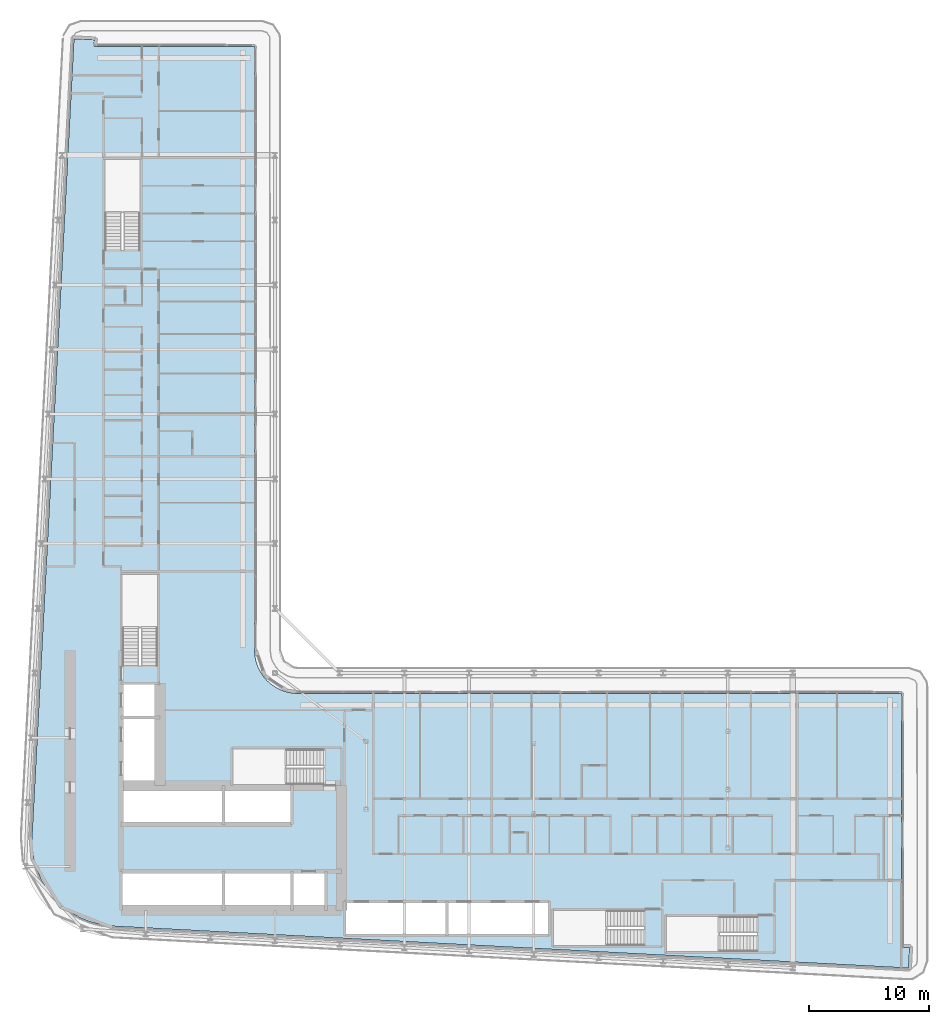
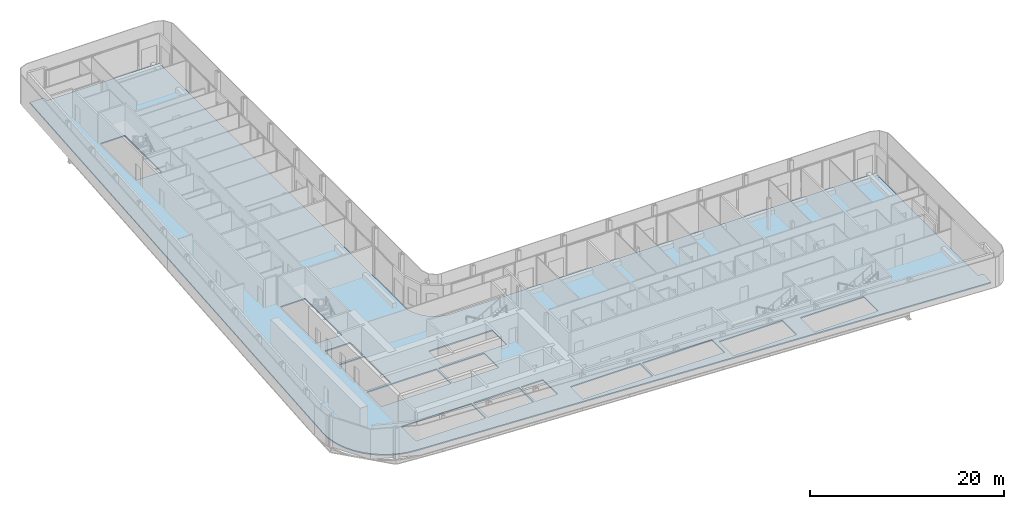
# One storey, part 11 of 28: 1 slab.
"""IFC4 building model written with IfcOpenShell, lengths in metres."""

from ifc_helpers import new_model, si_unit, direction, frame, origin, place, context, subcontext, project, spatial, polyline, outline, extrude, material, layer, layer_set, type_object, element, save


model = new_model("IFC4")

# Units and contexts
model_context = context("Model", 3, precision=1e-05, world=origin(), true_north=direction((0.0, 1.0)))
body_context = subcontext(model_context, "Body", "Model", "MODEL_VIEW")
ifc_project = project(units=[si_unit("LENGTHUNIT", "METRE"), si_unit("AREAUNIT", "SQUARE_METRE"), si_unit("VOLUMEUNIT", "CUBIC_METRE"), si_unit("PLANEANGLEUNIT", "RADIAN"), si_unit("MASSUNIT", "GRAM", prefix="KILO")], contexts=[model_context])

# Site, building, storey
site_placement = place(None, origin())
site = spatial("IfcSite", under=ifc_project, at=site_placement, CompositionType="ELEMENT")
building_placement = place(site_placement, origin())
building = spatial("IfcBuilding", under=site, at=building_placement, Name="Kheshtan School and Residences Tower", CompositionType="ELEMENT")
storey_placement = place(building_placement, frame((0.0, 0.0, 125.300048828125)))
storey = spatial("IfcBuildingStorey", under=building, at=storey_placement, Name="L29", CompositionType="ELEMENT", Elevation=125.300048828125)

# Slab
ifc_material = material(Name="Concrete C40/50", Category="concrete")
ifc_layer = layer(ifc_material, 0.14990234375)
ifc_layer_set = layer_set([ifc_layer], Name="Floor slab 150 Concrete C40/50")
slab_type = type_object("IfcSlabType", Name="Floor slab 150 Concrete C40/50", PredefinedType="FLOOR", material=ifc_layer_set)
slab_placement = place(storey_placement, frame((0.0, 0.0, -0.150146484375)))
element("IfcSlab", 1, at=slab_placement, inside=storey, type_object=slab_type, Name="Floor slab L29", PredefinedType="FLOOR", context=body_context, shape_type="SweptSolid", body=[
    extrude(outline(polyline([(27.718017578125, 29.200927734375), (27.466064453125, 30.093017578125), (27.466064453125, 30.093994140625), (27.3330078125, 31.013916015625), (27.320068359375, 31.965087890625), (27.320068359375, 31.970947265625), (30.822021484375, 98.5009765625), (30.822998046875, 98.508056640625), (30.825927734375, 98.531005859375), (30.825927734375, 98.531982421875), (30.826904296875, 98.531982421875), (31.422119140625, 98.5), (31.423095703125, 98.5), (31.423095703125, 98.4990234375), (31.423095703125, 98.4951171875), (31.423095703125, 98.493896484375), (31.424072265625, 98.493896484375), (31.424072265625, 98.492919921875), (31.425048828125, 98.492919921875), (31.426025390625, 98.492919921875), (31.426025390625, 98.493896484375), (31.427978515625, 98.49609375), (31.428955078125, 98.4970703125), (31.429931640625, 98.498046875), (31.430908203125, 98.498046875), (31.430908203125, 98.4990234375), (31.431884765625, 98.4990234375), (31.431884765625, 98.5), (31.43505859375, 98.5009765625), (31.43603515625, 98.501953125), (31.43896484375, 98.501953125), (31.43994140625, 98.501953125), (31.43994140625, 98.5029296875), (31.44091796875, 98.5029296875), (31.446044921875, 98.5029296875), (32.5009765625, 98.447021484375), (32.50390625, 98.447021484375), (32.5048828125, 98.447021484375), (32.5048828125, 98.446044921875), (32.506103515625, 98.446044921875), (32.510009765625, 98.446044921875), (32.510009765625, 98.445068359375), (32.510986328125, 98.445068359375), (32.510986328125, 98.444091796875), (32.511962890625, 98.444091796875), (32.511962890625, 98.443115234375), (32.512939453125, 98.443115234375), (32.513916015625, 98.443115234375), (32.513916015625, 98.44189453125), (32.514892578125, 98.44189453125), (32.51611328125, 98.44189453125), (32.51904296875, 98.43896484375), (32.51904296875, 98.43798828125), (32.51904296875, 98.43701171875), (32.52001953125, 98.43701171875), (32.52001953125, 98.43603515625), (32.52099609375, 98.43603515625), (32.52099609375, 98.43408203125), (32.52099609375, 98.43310546875), (32.52197265625, 98.43310546875), (32.52197265625, 98.431884765625), (32.52294921875, 98.431884765625), (32.52294921875, 98.430908203125), (32.52294921875, 98.428955078125), (32.52294921875, 98.427978515625), (32.52392578125, 98.427978515625), (32.52392578125, 98.427001953125), (32.52392578125, 98.422119140625), (32.4970703125, 97.9208984375), (32.4970703125, 97.91796875), (32.4970703125, 97.9169921875), (32.49609375, 97.9169921875), (32.49609375, 97.916015625), (32.49609375, 97.912109375), (32.4951171875, 97.910888671875), (32.4951171875, 97.909912109375), (32.493896484375, 97.909912109375), (32.493896484375, 97.908935546875), (32.492919921875, 97.908935546875), (32.492919921875, 97.907958984375), (32.489013671875, 97.904052734375), (32.488037109375, 97.904052734375), (32.488037109375, 97.903076171875), (32.488037109375, 97.902099609375), (32.488037109375, 97.90087890625), (32.489013671875, 97.90087890625), (32.489013671875, 97.89990234375), (32.489990234375, 97.89990234375), (45.85498046875, 97.89990234375), (45.864990234375, 97.89794921875), (45.865966796875, 97.89794921875), (45.868896484375, 97.89599609375), (45.8740234375, 97.89404296875), (45.8779296875, 97.89208984375), (45.881103515625, 97.889892578125), (45.881103515625, 97.888916015625), (45.882080078125, 97.888916015625), (45.882080078125, 97.887939453125), (45.883056640625, 97.887939453125), (45.884033203125, 97.885009765625), (45.885009765625, 97.885009765625), (45.885009765625, 97.884033203125), (45.887939453125, 97.883056640625), (45.887939453125, 97.882080078125), (45.888916015625, 97.882080078125), (45.888916015625, 97.881103515625), (45.889892578125, 97.881103515625), (45.89208984375, 97.8779296875), (45.89404296875, 97.8740234375), (45.89599609375, 97.868896484375), (45.89794921875, 97.865966796875), (45.89794921875, 97.864990234375), (45.89990234375, 97.85498046875), (45.89990234375, 47.429931640625), (45.927001953125, 47.030029296875), (46.01806640625, 46.570068359375), (46.01806640625, 46.569091796875), (46.169921875, 46.1201171875), (46.37890625, 45.697021484375), (46.638916015625, 45.30810546875), (46.949951171875, 44.950927734375), (46.950927734375, 44.949951171875), (47.30810546875, 44.638916015625), (47.697021484375, 44.37890625), (48.1201171875, 44.169921875), (48.569091796875, 44.01806640625), (48.570068359375, 44.01806640625), (49.030029296875, 43.927001953125), (49.429931640625, 43.89990234375), (99.85498046875, 43.89990234375), (99.864990234375, 43.89794921875), (99.865966796875, 43.89794921875), (99.868896484375, 43.89599609375), (99.8740234375, 43.89404296875), (99.8779296875, 43.89208984375), (99.881103515625, 43.889892578125), (99.881103515625, 43.888916015625), (99.882080078125, 43.888916015625), (99.882080078125, 43.887939453125), (99.883056640625, 43.887939453125), (99.884033203125, 43.885009765625), (99.885009765625, 43.885009765625), (99.885009765625, 43.884033203125), (99.887939453125, 43.883056640625), (99.887939453125, 43.882080078125), (99.888916015625, 43.882080078125), (99.888916015625, 43.881103515625), (99.889892578125, 43.881103515625), (99.89208984375, 43.8779296875), (99.89404296875, 43.8740234375), (99.89599609375, 43.868896484375), (99.89794921875, 43.865966796875), (99.89794921875, 43.864990234375), (99.89990234375, 43.85498046875), (99.89990234375, 22.708984375), (99.89990234375, 22.7080078125), (99.90087890625, 22.7080078125), (99.90087890625, 22.70703125), (99.902099609375, 22.70703125), (99.903076171875, 22.70703125), (99.903076171875, 22.7080078125), (99.905029296875, 22.7099609375), (99.906982421875, 22.7119140625), (99.907958984375, 22.7119140625), (99.907958984375, 22.712890625), (99.908935546875, 22.712890625), (99.908935546875, 22.714111328125), (99.909912109375, 22.714111328125), (99.912109375, 22.715087890625), (99.9130859375, 22.716064453125), (99.916015625, 22.716064453125), (99.9169921875, 22.716064453125), (99.9169921875, 22.717041015625), (99.91796875, 22.717041015625), (99.923095703125, 22.717041015625), (100.5380859375, 22.68408203125), (100.541015625, 22.68408203125), (100.5419921875, 22.68408203125), (100.5419921875, 22.68310546875), (100.54296875, 22.68310546875), (100.547119140625, 22.68310546875), (100.547119140625, 22.681884765625), (100.548095703125, 22.681884765625), (100.548095703125, 22.680908203125), (100.549072265625, 22.680908203125), (100.549072265625, 22.679931640625), (100.550048828125, 22.679931640625), (100.551025390625, 22.679931640625), (100.551025390625, 22.678955078125), (100.552001953125, 22.678955078125), (100.552978515625, 22.678955078125), (100.552978515625, 22.677978515625), (100.554931640625, 22.676025390625), (100.555908203125, 22.676025390625), (100.555908203125, 22.675048828125), (100.555908203125, 22.674072265625), (100.556884765625, 22.674072265625), (100.556884765625, 22.673095703125), (100.55810546875, 22.673095703125), (100.55810546875, 22.6708984375), (100.55810546875, 22.669921875), (100.55908203125, 22.669921875), (100.55908203125, 22.6689453125), (100.56005859375, 22.6689453125), (100.56005859375, 22.66796875), (100.56005859375, 22.666015625), (100.56005859375, 22.6650390625), (100.56103515625, 22.6650390625), (100.56103515625, 22.6640625), (100.56103515625, 22.658935546875), (100.5048828125, 21.60205078125), (100.5048828125, 21.59912109375), (100.5048828125, 21.597900390625), (100.50390625, 21.597900390625), (100.50390625, 21.596923828125), (100.50390625, 21.593017578125), (100.5029296875, 21.592041015625), (100.5029296875, 21.591064453125), (100.501953125, 21.591064453125), (100.501953125, 21.590087890625), (100.5009765625, 21.590087890625), (100.5009765625, 21.589111328125), (100.5, 21.587890625), (100.498046875, 21.5859375), (100.4970703125, 21.5849609375), (100.49609375, 21.5849609375), (100.49609375, 21.583984375), (100.49609375, 21.5830078125), (100.49609375, 21.58203125), (100.4970703125, 21.58203125), (100.4970703125, 21.5810546875), (100.498046875, 21.5810546875), (100.4990234375, 21.5810546875), (100.5, 21.5810546875), (100.5, 21.580078125), (100.468017578125, 20.985107421875), (100.468017578125, 20.98388671875), (100.467041015625, 20.98388671875), (100.443115234375, 20.98291015625), (100.43798828125, 20.98291015625), (34.056884765625, 24.47802734375), (33.114990234375, 24.590087890625), (32.215087890625, 24.819091796875), (32.214111328125, 24.819091796875), (31.35205078125, 25.1630859375), (30.541015625, 25.616943359375), (29.799072265625, 26.1708984375), (29.799072265625, 26.172119140625), (29.798095703125, 26.172119140625), (29.134033203125, 26.820068359375), (29.134033203125, 26.821044921875), (29.133056640625, 26.821044921875), (28.55908203125, 27.550048828125), (28.0849609375, 28.345947265625), (27.718017578125, 29.200927734375)]), holes=[polyline([(99.89990234375, 21.5869140625), (99.89990234375, 21.5830078125), (99.89990234375, 21.58203125), (99.90087890625, 21.58203125), (99.90087890625, 21.5810546875), (99.902099609375, 21.5810546875), (99.906005859375, 21.5810546875), (99.906982421875, 21.5810546875), (99.906982421875, 21.58203125), (99.907958984375, 21.58203125), (99.907958984375, 21.5830078125), (99.907958984375, 21.583984375), (99.906982421875, 21.583984375), (99.905029296875, 21.5859375), (99.904052734375, 21.5869140625), (99.903076171875, 21.587890625), (99.903076171875, 21.589111328125), (99.902099609375, 21.589111328125), (99.90087890625, 21.589111328125), (99.90087890625, 21.587890625), (99.89990234375, 21.587890625), (99.89990234375, 21.5869140625)]), polyline([(31.423095703125, 97.906005859375), (31.423095703125, 97.902099609375), (31.423095703125, 97.90087890625), (31.424072265625, 97.90087890625), (31.424072265625, 97.89990234375), (31.425048828125, 97.89990234375), (31.428955078125, 97.89990234375), (31.429931640625, 97.89990234375), (31.429931640625, 97.90087890625), (31.430908203125, 97.90087890625), (31.430908203125, 97.902099609375), (31.430908203125, 97.903076171875), (31.429931640625, 97.903076171875), (31.428955078125, 97.904052734375), (31.427978515625, 97.905029296875), (31.427001953125, 97.906005859375), (31.426025390625, 97.906982421875), (31.426025390625, 97.907958984375), (31.425048828125, 97.907958984375), (31.424072265625, 97.907958984375), (31.424072265625, 97.906982421875), (31.423095703125, 97.906982421875), (31.423095703125, 97.906005859375)]), polyline([(34.875, 28.925048828125), (34.875, 25.925048828125), (43.175048828125, 25.925048828125), (43.175048828125, 28.925048828125), (34.875, 28.925048828125)]), polyline([(43.425048828125, 25.925048828125), (48.875, 25.925048828125), (48.875, 28.925048828125), (43.425048828125, 28.925048828125), (43.425048828125, 25.925048828125)]), polyline([(43.175048828125, 36.074951171875), (34.875, 36.074951171875), (34.875, 33.074951171875), (43.175048828125, 33.074951171875), (43.175048828125, 36.074951171875)]), polyline([(34.875, 41.77490234375), (34.875, 36.324951171875), (37.875, 36.324951171875), (37.875, 41.77490234375), (34.875, 41.77490234375)]), polyline([(34.875, 44.625), (34.875, 42.02490234375), (37.875, 42.02490234375), (37.875, 44.625), (34.875, 44.625)]), polyline([(37.800048828125, 46.25), (37.800048828125, 53.81005859375), (34.85009765625, 53.81005859375), (34.85009765625, 46.260009765625), (36.25, 46.260009765625), (36.25, 46.25), (37.800048828125, 46.25)]), polyline([(33.39990234375, 88.4599609375), (33.39990234375, 80.909912109375), (34.800048828125, 80.909912109375), (34.800048828125, 80.89990234375), (36.35009765625, 80.89990234375), (36.35009765625, 88.4599609375), (33.39990234375, 88.4599609375)]), polyline([(87.81005859375, 22.35009765625), (87.81005859375, 23.75), (87.820068359375, 23.75), (87.820068359375, 25.300048828125), (80.260009765625, 25.300048828125), (80.260009765625, 22.35009765625), (87.81005859375, 22.35009765625)]), polyline([(70.85009765625, 22.85009765625), (78.39990234375, 22.85009765625), (78.39990234375, 24.25), (78.409912109375, 24.25), (78.409912109375, 25.800048828125), (70.85009765625, 25.800048828125), (70.85009765625, 22.85009765625)]), polyline([(61.824951171875, 26.425048828125), (53.52490234375, 26.425048828125), (53.52490234375, 23.824951171875), (61.824951171875, 23.824951171875), (61.824951171875, 26.425048828125)]), polyline([(62.074951171875, 23.824951171875), (70.375, 23.824951171875), (70.375, 26.425048828125), (62.074951171875, 26.425048828125), (62.074951171875, 23.824951171875)]), polyline([(49.125, 28.925048828125), (49.125, 25.925048828125), (51.72509765625, 25.925048828125), (51.72509765625, 28.925048828125), (49.125, 28.925048828125)]), polyline([(43.425048828125, 33.074951171875), (48.875, 33.074951171875), (48.875, 36.074951171875), (43.425048828125, 36.074951171875), (43.425048828125, 33.074951171875)]), polyline([(51.64990234375, 39.25), (44.090087890625, 39.25), (44.090087890625, 36.300048828125), (51.639892578125, 36.300048828125), (51.639892578125, 37.699951171875), (51.64990234375, 37.699951171875), (51.64990234375, 39.25)])]), origin(), (0.0, 0.0, 1.0), 0.150146484375),
])

save(model, "model.ifc")
